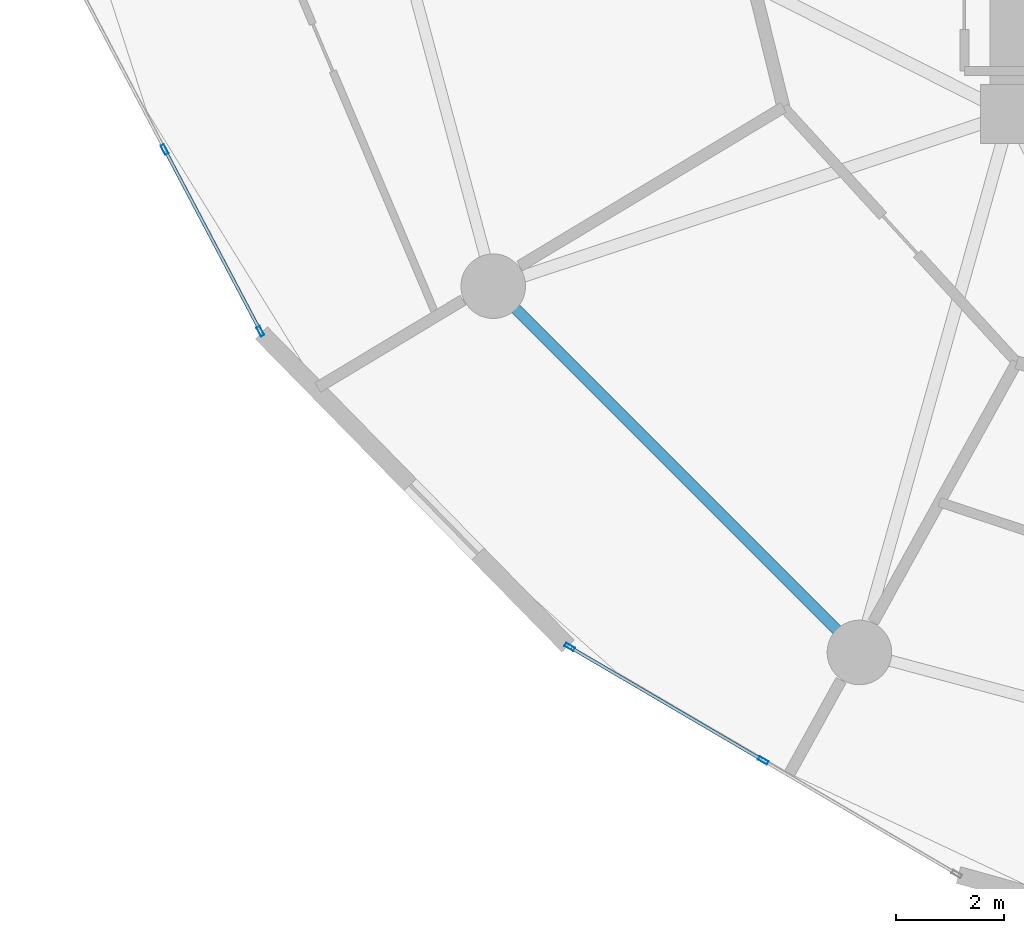
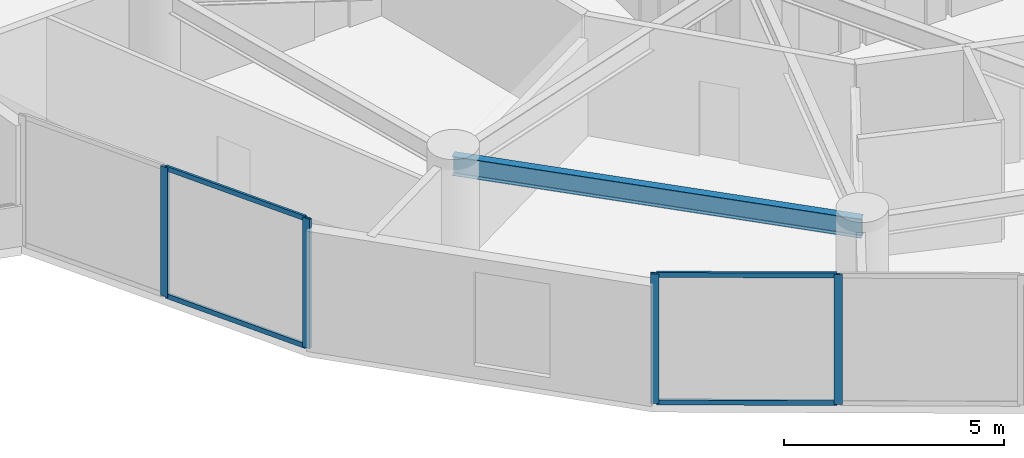
# One storey, part 2 of 24: 8 members, 1 beam, 2 elements without a shape of their own.
"""IFC4 building model written with IfcOpenShell, lengths in metres."""

from ifc_helpers import new_model, si_unit, direction, frame, origin, origin_2d, place, context, subcontext, project, spatial, hollow_rectangle, i_section, extrude, source, transform, mapped, material, layer, layer_set, material_profile, profile_set, type_object, element, aggregate, save


model = new_model("IFC4")

# Units and contexts
model_context = context("Model", 3, precision=1e-05, world=origin(), true_north=direction((0.0, 1.0)))
body_context = subcontext(model_context, "Body", "Model", "MODEL_VIEW")
ifc_project = project(units=[si_unit("LENGTHUNIT", "METRE"), si_unit("AREAUNIT", "SQUARE_METRE"), si_unit("VOLUMEUNIT", "CUBIC_METRE"), si_unit("PLANEANGLEUNIT", "RADIAN"), si_unit("MASSUNIT", "GRAM", prefix="KILO")], contexts=[model_context])

# Site, building, storey
site_placement = place(None, origin())
site = spatial("IfcSite", under=ifc_project, at=site_placement, CompositionType="ELEMENT")
building_placement = place(site_placement, origin())
building = spatial("IfcBuilding", under=site, at=building_placement, Name="Solvirekh Grand Hotel", CompositionType="ELEMENT")
storey_placement = place(building_placement, frame((0.0, 0.0, 82.39990234375)))
storey = spatial("IfcBuildingStorey", under=building, at=storey_placement, Name="L20", CompositionType="ELEMENT", Elevation=82.39990234375)

# Beam
ifc_material_1 = material(Name="Steel S355", Category="steel")
ifc_material_profile_1 = material_profile(ifc_material_1, i_section(OverallWidth=0.208984375, OverallDepth=0.532958984375, WebThickness=0.010009765625, FlangeThickness=0.014892578125, FilletRadius=0.013916015625, at=origin_2d()), Name="W530X92")
ifc_profile_set_1 = profile_set([ifc_material_profile_1], Name="Steel S355")
beam_type = type_object("IfcBeamType", Name="Spandrel_Ring_W530", PredefinedType="SPANDREL", material=ifc_profile_set_1)
beam_placement = place(storey_placement, frame((-16.10791015625, -9.300048828125, 3.07421875), z_axis=(0.707106781187, -0.707106781187, 0.0), x_axis=(0.707106781187, 0.707106781187, 0.0)))
element("IfcBeam", 1, at=beam_placement, inside=storey, type_object=beam_type, Name="L20 perimeter spandrel beam 8", PredefinedType="SPANDREL", context=body_context, shape_type="SweptSolid", body=[
    extrude(i_section(OverallWidth=0.208984375, OverallDepth=0.532958984375, WebThickness=0.010009765625, FlangeThickness=0.014892578125, FilletRadius=0.013916015625, at=origin_2d()), origin(), (0.0, 0.0, 1.0), 9.627685546875),
])

# Curtain wall, members
ifc_material_2 = material(Name="Anodized Bronze Aluminium 6063-T6", Category="aluminium")
ifc_layer = layer(ifc_material_2, 0.18994140625)
ifc_layer_set = layer_set([ifc_layer], Name="Anodized Bronze Aluminium 6063-T6")
curtain_wall_type = type_object("IfcCurtainWallType", Name="CW_Sys2_LowZoneFlushBronzeCW", PredefinedType="NOTDEFINED", material=ifc_layer_set)
curtain_wall_1_placement = place(storey_placement, origin())
curtain_wall_1 = element("IfcCurtainWall", 2, at=curtain_wall_1_placement, inside=storey, type_object=curtain_wall_type, Name="L20 unitised bronze-glass curtain wall CW-L20-C13", PredefinedType="NOTDEFINED")
ifc_material_profile_2 = material_profile(ifc_material_2, hollow_rectangle(XDim=0.070068359375, YDim=0.18994140625, WallThickness=0.0048828125, at=origin_2d()), Name="ALU RHS 190X70X5")
ifc_profile_set_2 = profile_set([ifc_material_profile_2], Name="Anodized Bronze Aluminium 6063-T6")
member_type_1 = type_object("IfcMemberType", Name="CWMullion_Sys2", PredefinedType="MULLION", material=ifc_profile_set_2)
shared_shape_1 = source(origin(), body_context, "Body", "SweptSolid", [
    extrude(hollow_rectangle(XDim=0.070068359375, YDim=0.18994140625, WallThickness=0.0048828125, at=origin_2d()), origin(), (0.0, 0.0, 1.0), 3.60009765625),
])
member_1_placement = place(storey_placement, frame((-22.216064453125, -6.759033203125, 0.0), z_axis=(0.0, 0.0, 1.0), x_axis=(0.884670335784, 0.466217113569, 0.0)))
member_1 = element("IfcMember", 3, at=member_1_placement, type_object=member_type_1, Name="U02 mullion 2", PredefinedType="MULLION", context=body_context, shape_type="MappedRepresentation", body=[
    mapped(shared_shape_1, transform((0.0, 0.0, 0.0), x_axis=(1.0, 0.0, 0.0), y_axis=(0.0, 1.0, 0.0), z_axis=(0.0, 0.0, 1.0), scale=1.0)),
])
member_2_placement = place(storey_placement, frame((-20.436279296875, -10.135986328125, 0.0), z_axis=(0.0, 0.0, 1.0), x_axis=(0.884670335784, 0.466217113569, 0.0)))
member_2 = element("IfcMember", 4, at=member_2_placement, type_object=member_type_1, Name="U02 mullion 3", PredefinedType="MULLION", context=body_context, shape_type="MappedRepresentation", body=[
    mapped(shared_shape_1, transform((0.0, 0.0, 0.0), x_axis=(1.0, 0.0, 0.0), y_axis=(0.0, 1.0, 0.0), z_axis=(0.0, 0.0, 1.0), scale=1.0)),
])

curtain_wall_2_placement = place(storey_placement, origin())
curtain_wall_2 = element("IfcCurtainWall", 5, at=curtain_wall_2_placement, inside=storey, type_object=curtain_wall_type, Name="L20 unitised bronze-glass curtain wall CW-L20-C15", PredefinedType="NOTDEFINED")
member_3_placement = place(storey_placement, frame((-14.686767578125, -16.006591796875, 0.0), z_axis=(0.0, 0.0, 1.0), x_axis=(0.505887267896, 0.86259960131, 0.0)))
member_3 = element("IfcMember", 6, at=member_3_placement, type_object=member_type_1, Name="U02 mullion 1", PredefinedType="MULLION", context=body_context, shape_type="MappedRepresentation", body=[
    mapped(shared_shape_1, transform((0.0, 0.0, 0.0), x_axis=(1.0, 0.0, 0.0), y_axis=(0.0, 1.0, 0.0), z_axis=(0.0, 0.0, 1.0), scale=1.0)),
])
member_4_placement = place(storey_placement, frame((-11.08837890625, -18.116943359375, 0.0), z_axis=(0.0, 0.0, 1.0), x_axis=(0.505887267896, 0.86259960131, 0.0)))
member_4 = element("IfcMember", 7, at=member_4_placement, type_object=member_type_1, Name="U02 mullion 2", PredefinedType="MULLION", context=body_context, shape_type="MappedRepresentation", body=[
    mapped(shared_shape_1, transform((0.0, 0.0, 0.0), x_axis=(1.0, 0.0, 0.0), y_axis=(0.0, 1.0, 0.0), z_axis=(0.0, 0.0, 1.0), scale=1.0)),
])
ifc_material_profile_3 = material_profile(ifc_material_2, hollow_rectangle(XDim=0.06005859375, YDim=0.135009765625, WallThickness=0.00390625, at=origin_2d()), Name="ALU RHS 135X60X4")
ifc_profile_set_3 = profile_set([ifc_material_profile_3], Name="Anodized Bronze Aluminium 6063-T6")
member_type_2 = type_object("IfcMemberType", Name="CWTransom_Sys2", PredefinedType="USERDEFINED", material=ifc_profile_set_3)
shared_shape_2 = source(origin(), body_context, "Body", "SweptSolid", [
    extrude(hollow_rectangle(XDim=0.06005859375, YDim=0.135009765625, WallThickness=0.00390625, at=origin_2d()), origin(), (0.0, 0.0, 1.0), 4.1015625),
])
member_5_placement = place(storey_placement, frame((-14.65673828125, -16.0244140625, 0.030029296875), z_axis=(0.862602138961, -0.505882940866, 0.0), x_axis=(0.505882940866, 0.862602138961, 0.0)))
member_5 = element("IfcMember", 8, at=member_5_placement, type_object=member_type_2, Name="U02 transom 1.1", ObjectType="TRANSOM", PredefinedType="USERDEFINED", context=body_context, shape_type="MappedRepresentation", body=[
    mapped(shared_shape_2, transform((0.0, 0.0, 0.0), x_axis=(1.0, 0.0, 0.0), y_axis=(0.0, 1.0, 0.0), z_axis=(0.0, 0.0, 1.0), scale=1.0)),
])
member_6_placement = place(storey_placement, frame((-14.65673828125, -16.0244140625, 3.570068359375), z_axis=(0.862602138961, -0.505882940866, 0.0), x_axis=(0.505882940866, 0.862602138961, 0.0)))
member_6 = element("IfcMember", 9, at=member_6_placement, type_object=member_type_2, Name="U02 transom 1.2", ObjectType="TRANSOM", PredefinedType="USERDEFINED", context=body_context, shape_type="MappedRepresentation", body=[
    mapped(shared_shape_2, transform((0.0, 0.0, 0.0), x_axis=(1.0, 0.0, 0.0), y_axis=(0.0, 1.0, 0.0), z_axis=(0.0, 0.0, 1.0), scale=1.0)),
])
aggregate(curtain_wall_2, [member_3, member_4, member_5, member_6])

# Member
shared_shape_3 = source(origin(), body_context, "Body", "SweptSolid", [
    extrude(hollow_rectangle(XDim=0.06005859375, YDim=0.135009765625, WallThickness=0.00390625, at=origin_2d()), origin(), (0.0, 0.0, 1.0), 3.7470703125),
])
member_7_placement = place(storey_placement, frame((-22.19970703125, -6.7900390625, 0.030029296875), z_axis=(0.466240454848, -0.884658034646, 0.0), x_axis=(0.884658034646, 0.466240454848, 0.0)))
member_7 = element("IfcMember", 10, at=member_7_placement, type_object=member_type_2, Name="U02 transom 2.1", ObjectType="TRANSOM", PredefinedType="USERDEFINED", context=body_context, shape_type="MappedRepresentation", body=[
    mapped(shared_shape_3, transform((0.0, 0.0, 0.0), x_axis=(1.0, 0.0, 0.0), y_axis=(0.0, 1.0, 0.0), z_axis=(0.0, 0.0, 1.0), scale=1.0)),
])

member_8_placement = place(storey_placement, frame((-22.19970703125, -6.7900390625, 3.570068359375), z_axis=(0.466240454848, -0.884658034646, 0.0), x_axis=(0.884658034646, 0.466240454848, 0.0)))
member_8 = element("IfcMember", 11, at=member_8_placement, type_object=member_type_2, Name="U02 transom 2.2", ObjectType="TRANSOM", PredefinedType="USERDEFINED", context=body_context, shape_type="MappedRepresentation", body=[
    mapped(shared_shape_3, transform((0.0, 0.0, 0.0), x_axis=(1.0, 0.0, 0.0), y_axis=(0.0, 1.0, 0.0), z_axis=(0.0, 0.0, 1.0), scale=1.0)),
])

aggregate(curtain_wall_1, [member_1, member_2, member_7, member_8])

save(model, "model.ifc")
